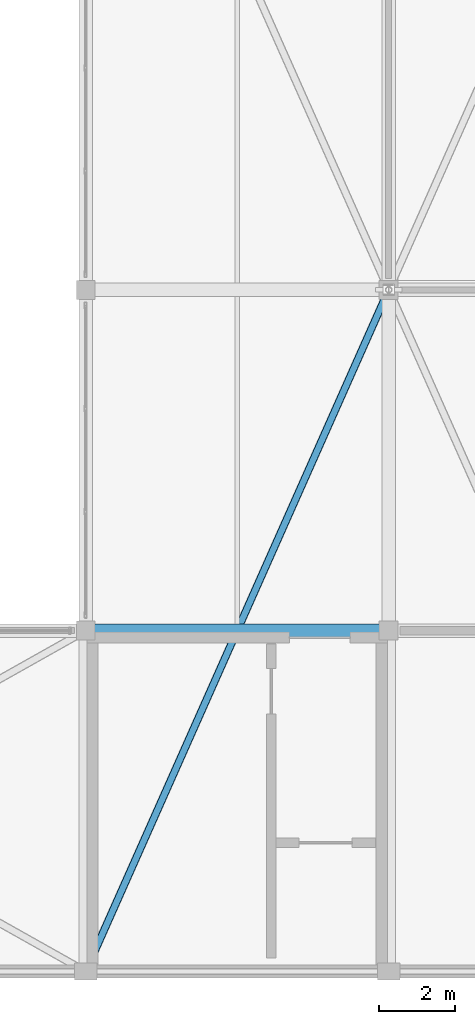
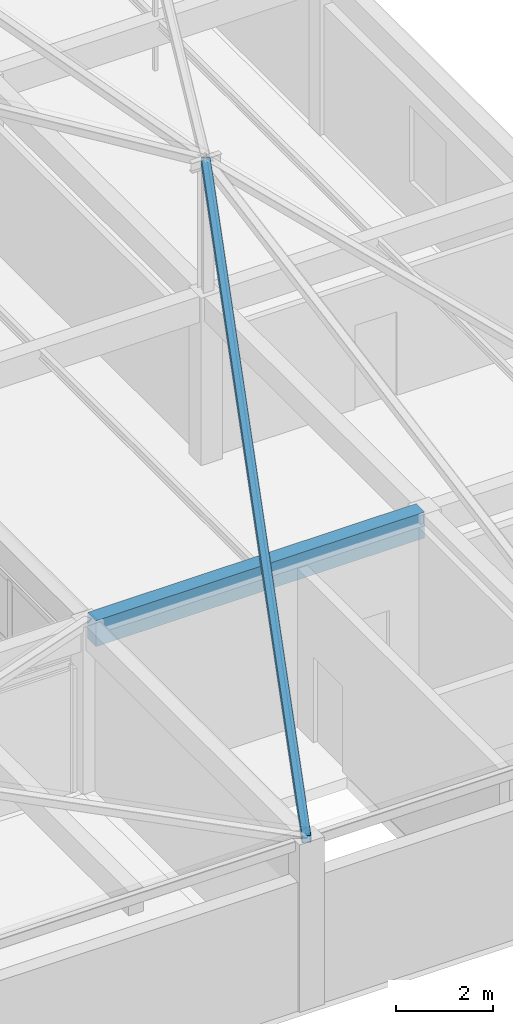
# One storey, part 35 of 65: 1 beam, 1 member.
"""IFC4 building model written with IfcOpenShell, lengths in metres."""

from ifc_helpers import new_model, si_unit, direction, frame, origin, origin_2d, place, context, subcontext, project, spatial, rectangle, hollow_rectangle, extrude, material, material_profile, profile_set, type_object, element, save


model = new_model("IFC4")

# Units and contexts
model_context = context("Model", 3, precision=1e-05, world=origin(), true_north=direction((0.0, 1.0)))
body_context = subcontext(model_context, "Body", "Model", "MODEL_VIEW")
ifc_project = project(units=[si_unit("LENGTHUNIT", "METRE"), si_unit("AREAUNIT", "SQUARE_METRE"), si_unit("VOLUMEUNIT", "CUBIC_METRE"), si_unit("PLANEANGLEUNIT", "RADIAN"), si_unit("MASSUNIT", "GRAM", prefix="KILO")], contexts=[model_context])

# Site, building, storey
site_placement = place(None, origin())
site = spatial("IfcSite", under=ifc_project, at=site_placement, CompositionType="ELEMENT")
building_placement = place(site_placement, origin())
building = spatial("IfcBuilding", under=site, at=building_placement, Name="Varnabhumi Central Station", CompositionType="ELEMENT")
storey_placement = place(building_placement, frame((0.0, 0.0, 24.60009765625)))
storey = spatial("IfcBuildingStorey", under=building, at=storey_placement, Name="L05", CompositionType="ELEMENT", Elevation=24.60009765625)

# Beam
ifc_material_1 = material(Name="Concrete M40", Category="concrete")
ifc_material_profile_1 = material_profile(ifc_material_1, rectangle(XDim=0.35009765625, YDim=0.64990234375, at=origin_2d()), Name="Concrete M40", Category="concrete")
ifc_profile_set_1 = profile_set([ifc_material_profile_1], Name="Concrete M40")
beam_type = type_object("IfcBeamType", Name="BM-RC-350x650", PredefinedType="BEAM", material=ifc_profile_set_1)
beam_placement = place(storey_placement, frame((144.10009765625, 9.0, 3.875), z_axis=(1.0, 0.0, 0.0), x_axis=(0.0, 1.0, 0.0)))
element("IfcBeam", 1, at=beam_placement, inside=storey, type_object=beam_type, Name="Beam L05-B:19-20", PredefinedType="BEAM", context=body_context, shape_type="SweptSolid", body=[
    extrude(rectangle(XDim=0.35009765625, YDim=0.64990234375, at=origin_2d()), origin(), (0.0, 0.0, 1.0), 7.7998046875),
])

# Member
ifc_material_2 = material(Name="Structural steel E350", Category="steel")
ifc_material_profile_2 = material_profile(ifc_material_2, hollow_rectangle(XDim=0.199951171875, YDim=0.199951171875, WallThickness=0.010009765625, InnerFilletRadius=0.010009765625, OuterFilletRadius=0.02001953125, at=origin_2d()), Name="Structural steel E350", Category="steel")
ifc_profile_set_2 = profile_set([ifc_material_profile_2], Name="Structural steel E350")
member_type = type_object("IfcMemberType", Name="MBR-RAFT-SHS200", PredefinedType="RAFTER", material=ifc_profile_set_2)
member_placement = place(storey_placement, frame((144.0, 0.0, 4.10986328125), z_axis=(0.400555995964, 0.90125099092, 0.165231793135), x_axis=(-0.91381154862, 0.406138466053, 0.0)))
element("IfcMember", 2, at=member_placement, inside=storey, type_object=member_type, Name="Mission Roof Hip Rafter SW6W-ES", PredefinedType="RAFTER", context=body_context, shape_type="SweptSolid", body=[
    extrude(hollow_rectangle(XDim=0.199951171875, YDim=0.199951171875, WallThickness=0.010009765625, InnerFilletRadius=0.010009765625, OuterFilletRadius=0.02001953125, at=origin_2d()), origin(), (0.0, 0.0, 1.0), 19.97216796875),
])

save(model, "model.ifc")
